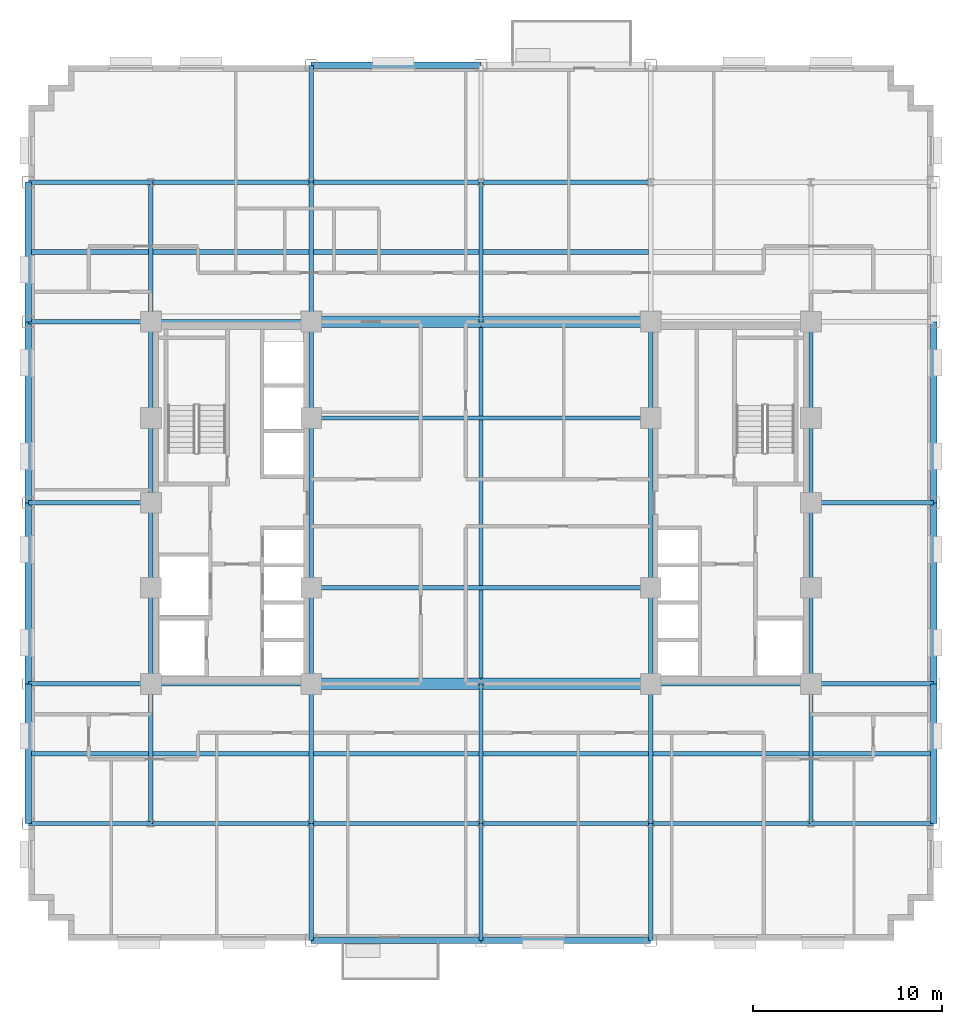
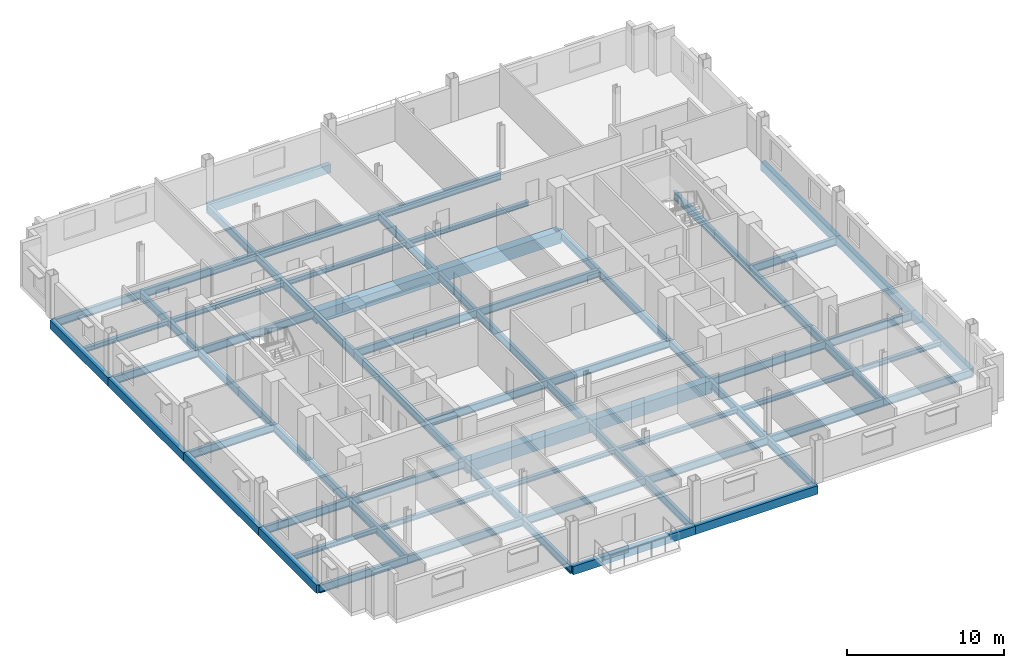
# One storey, part 4 of 14: 71 beams.
"""IFC4 building model written with IfcOpenShell, lengths in metres."""

from ifc_helpers import new_model, si_unit, direction, frame, origin, origin_2d, place, context, subcontext, project, spatial, rectangle, i_section, extrude, material, material_profile, profile_set, type_object, element, save


model = new_model("IFC4")

# Units and contexts
model_context = context("Model", 3, precision=1e-05, world=origin(), true_north=direction((0.0, 1.0)))
body_context = subcontext(model_context, "Body", "Model", "MODEL_VIEW")
ifc_project = project(units=[si_unit("LENGTHUNIT", "METRE"), si_unit("AREAUNIT", "SQUARE_METRE"), si_unit("VOLUMEUNIT", "CUBIC_METRE"), si_unit("PLANEANGLEUNIT", "RADIAN"), si_unit("MASSUNIT", "GRAM", prefix="KILO")], contexts=[model_context])

# Site, building, storey
site_placement = place(None, origin())
site = spatial("IfcSite", under=ifc_project, at=site_placement, CompositionType="ELEMENT")
building_placement = place(site_placement, origin())
building = spatial("IfcBuilding", under=site, at=building_placement, Name="Nuvemarco Arch Tower", CompositionType="ELEMENT")
storey_placement = place(building_placement, frame((0.0, 0.0, 105.60009765625)))
storey = spatial("IfcBuildingStorey", under=building, at=storey_placement, Name="L27", CompositionType="ELEMENT", Elevation=105.60009765625)

# Beams
ifc_material_1 = material(Name="Concrete C60/75", Category="concrete")
ifc_material_profile_1 = material_profile(ifc_material_1, rectangle(XDim=0.60009765625, YDim=0.949951171875, at=origin_2d()), Name="RC-BM-600x950")
ifc_profile_set_1 = profile_set([ifc_material_profile_1], Name="Concrete C60/75")
beam_type_1 = type_object("IfcBeamType", Name="BM-COUP-RC", PredefinedType="LINTEL", material=ifc_profile_set_1)
for number, where, z_axis, x_axis, name in (
    (1, (-9.0, -9.60009765625, -0.755126953125), (1.0, 0.0, 0.0), (0.0, 1.0, 0.0), "L27 structural beam BGEW_L27_0_-9.6_-9.0"),
    (2, (0.0, -9.60009765625, -0.755126953125), (1.0, 0.0, 0.0), (0.0, 1.0, 0.0), "L27 structural beam BGEW_L27_0_-9.6_+0.0"),
    (3, (-9.0, 9.60009765625, -0.755126953125), (1.0, 0.0, 0.0), (0.0, 1.0, 0.0), "L27 structural beam BGEW_L27_0_+9.6_-9.0"),
    (4, (0.0, 9.60009765625, -0.755126953125), (1.0, 0.0, 0.0), (0.0, 1.0, 0.0), "L27 structural beam BGEW_L27_0_+9.6_+0.0"),
):
    element("IfcBeam", number, at=place(storey_placement, frame(where, z_axis=z_axis, x_axis=x_axis)), inside=storey, type_object=beam_type_1, Name=name, PredefinedType="LINTEL", context=body_context, shape_type="SweptSolid", body=[
        extrude(rectangle(XDim=0.60009765625, YDim=0.949951171875, at=origin_2d()), origin(), (0.0, 0.0, 1.0), 9.0),
    ])
ifc_material_2 = material(Name="Steel S355", Category="steel")
ifc_material_profile_2 = material_profile(ifc_material_2, i_section(OverallWidth=0.22998046875, OverallDepth=0.616943359375, WebThickness=0.01318359375, FlangeThickness=0.022216796875, FilletRadius=0.01611328125, at=origin_2d()), Name="W610x140")
ifc_profile_set_2 = profile_set([ifc_material_profile_2], Name="Steel S355")
beam_type_2 = type_object("IfcBeamType", Name="BM-GIRD-610", PredefinedType="BEAM", material=ifc_profile_set_2)
beam_1_placement = place(storey_placement, frame((-17.5, -17.0, -0.588623046875), z_axis=(0.0, 1.0, 0.0), x_axis=(-1.0, 0.0, 0.0)))
element("IfcBeam", 5, at=beam_1_placement, inside=storey, type_object=beam_type_2, Name="L27 structural beam BGNS_L27_0_-17.5_-17.0", PredefinedType="BEAM", context=body_context, shape_type="SweptSolid", body=[
    extrude(i_section(OverallWidth=0.22998046875, OverallDepth=0.616943359375, WebThickness=0.01318359375, FlangeThickness=0.022216796875, FilletRadius=0.01611328125, at=origin_2d()), origin(), (0.0, 0.0, 1.0), 7.39990234375),
])
beam_2_placement = place(storey_placement, frame((-17.5, -9.60009765625, -0.588623046875), z_axis=(0.0, 1.0, 0.0), x_axis=(-1.0, 0.0, 0.0)))
element("IfcBeam", 6, at=beam_2_placement, inside=storey, type_object=beam_type_2, Name="L27 structural beam BGNS_L27_0_-17.5_-9.6", PredefinedType="BEAM", context=body_context, shape_type="SweptSolid", body=[
    extrude(i_section(OverallWidth=0.22998046875, OverallDepth=0.616943359375, WebThickness=0.01318359375, FlangeThickness=0.022216796875, FilletRadius=0.01611328125, at=origin_2d()), origin(), (0.0, 0.0, 1.0), 5.10009765625),
])
for number, where, z_axis, x_axis, name in (
    (7, (-17.5, -4.5, -0.588623046875), (0.0, 1.0, 0.0), (-1.0, 0.0, 0.0), "L27 structural beam BGNS_L27_0_-17.5_-4.5"),
    (8, (-17.5, 0.0, -0.588623046875), (0.0, 1.0, 0.0), (-1.0, 0.0, 0.0), "L27 structural beam BGNS_L27_0_-17.5_+0.0"),
):
    element("IfcBeam", number, at=place(storey_placement, frame(where, z_axis=z_axis, x_axis=x_axis)), inside=storey, type_object=beam_type_2, Name=name, PredefinedType="BEAM", context=body_context, shape_type="SweptSolid", body=[
        extrude(i_section(OverallWidth=0.22998046875, OverallDepth=0.616943359375, WebThickness=0.01318359375, FlangeThickness=0.022216796875, FilletRadius=0.01611328125, at=origin_2d()), origin(), (0.0, 0.0, 1.0), 4.5),
    ])
beam_3_placement = place(storey_placement, frame((-17.5, 4.5, -0.588623046875), z_axis=(0.0, 1.0, 0.0), x_axis=(-1.0, 0.0, 0.0)))
element("IfcBeam", 9, at=beam_3_placement, inside=storey, type_object=beam_type_2, Name="L27 structural beam BGNS_L27_0_-17.5_+4.5", PredefinedType="BEAM", context=body_context, shape_type="SweptSolid", body=[
    extrude(i_section(OverallWidth=0.22998046875, OverallDepth=0.616943359375, WebThickness=0.01318359375, FlangeThickness=0.022216796875, FilletRadius=0.01611328125, at=origin_2d()), origin(), (0.0, 0.0, 1.0), 5.10009765625),
])
beam_4_placement = place(storey_placement, frame((-17.5, 9.60009765625, -0.588623046875), z_axis=(0.0, 1.0, 0.0), x_axis=(-1.0, 0.0, 0.0)))
element("IfcBeam", 10, at=beam_4_placement, inside=storey, type_object=beam_type_2, Name="L27 structural beam BGNS_L27_0_-17.5_+9.6", PredefinedType="BEAM", context=body_context, shape_type="SweptSolid", body=[
    extrude(i_section(OverallWidth=0.22998046875, OverallDepth=0.616943359375, WebThickness=0.01318359375, FlangeThickness=0.022216796875, FilletRadius=0.01611328125, at=origin_2d()), origin(), (0.0, 0.0, 1.0), 7.39990234375),
])
beam_5_placement = place(storey_placement, frame((-9.0, -23.199951171875, -0.588623046875), z_axis=(0.0, 1.0, 0.0), x_axis=(-1.0, 0.0, 0.0)))
element("IfcBeam", 11, at=beam_5_placement, inside=storey, type_object=beam_type_2, Name="L27 structural beam BGNS_L27_0_-9.0_-23.2", PredefinedType="BEAM", context=body_context, shape_type="SweptSolid", body=[
    extrude(i_section(OverallWidth=0.22998046875, OverallDepth=0.616943359375, WebThickness=0.01318359375, FlangeThickness=0.022216796875, FilletRadius=0.01611328125, at=origin_2d()), origin(), (0.0, 0.0, 1.0), 6.199951171875),
])
beam_6_placement = place(storey_placement, frame((-9.0, -17.0, -0.588623046875), z_axis=(0.0, 1.0, 0.0), x_axis=(-1.0, 0.0, 0.0)))
element("IfcBeam", 12, at=beam_6_placement, inside=storey, type_object=beam_type_2, Name="L27 structural beam BGNS_L27_0_-9.0_-17.0", PredefinedType="BEAM", context=body_context, shape_type="SweptSolid", body=[
    extrude(i_section(OverallWidth=0.22998046875, OverallDepth=0.616943359375, WebThickness=0.01318359375, FlangeThickness=0.022216796875, FilletRadius=0.01611328125, at=origin_2d()), origin(), (0.0, 0.0, 1.0), 7.39990234375),
])
beam_7_placement = place(storey_placement, frame((-9.0, -9.60009765625, -0.588623046875), z_axis=(0.0, 1.0, 0.0), x_axis=(-1.0, 0.0, 0.0)))
element("IfcBeam", 13, at=beam_7_placement, inside=storey, type_object=beam_type_2, Name="L27 structural beam BGNS_L27_0_-9.0_-9.6", PredefinedType="BEAM", context=body_context, shape_type="SweptSolid", body=[
    extrude(i_section(OverallWidth=0.22998046875, OverallDepth=0.616943359375, WebThickness=0.01318359375, FlangeThickness=0.022216796875, FilletRadius=0.01611328125, at=origin_2d()), origin(), (0.0, 0.0, 1.0), 5.10009765625),
])
beam_8_placement = place(storey_placement, frame((-9.0, -4.5, -0.588623046875), z_axis=(0.0, 1.0, 0.0), x_axis=(-1.0, 0.0, 0.0)))
element("IfcBeam", 14, at=beam_8_placement, inside=storey, type_object=beam_type_2, Name="L27 structural beam BGNS_L27_0_-9.0_-4.5", PredefinedType="BEAM", context=body_context, shape_type="SweptSolid", body=[
    extrude(i_section(OverallWidth=0.22998046875, OverallDepth=0.616943359375, WebThickness=0.01318359375, FlangeThickness=0.022216796875, FilletRadius=0.01611328125, at=origin_2d()), origin(), (0.0, 0.0, 1.0), 9.0),
])
beam_9_placement = place(storey_placement, frame((-9.0, 4.5, -0.588623046875), z_axis=(0.0, 1.0, 0.0), x_axis=(-1.0, 0.0, 0.0)))
element("IfcBeam", 15, at=beam_9_placement, inside=storey, type_object=beam_type_2, Name="L27 structural beam BGNS_L27_0_-9.0_+4.5", PredefinedType="BEAM", context=body_context, shape_type="SweptSolid", body=[
    extrude(i_section(OverallWidth=0.22998046875, OverallDepth=0.616943359375, WebThickness=0.01318359375, FlangeThickness=0.022216796875, FilletRadius=0.01611328125, at=origin_2d()), origin(), (0.0, 0.0, 1.0), 5.10009765625),
])
beam_10_placement = place(storey_placement, frame((-9.0, 9.60009765625, -0.588623046875), z_axis=(0.0, 1.0, 0.0), x_axis=(-1.0, 0.0, 0.0)))
element("IfcBeam", 16, at=beam_10_placement, inside=storey, type_object=beam_type_2, Name="L27 structural beam BGNS_L27_0_-9.0_+9.6", PredefinedType="BEAM", context=body_context, shape_type="SweptSolid", body=[
    extrude(i_section(OverallWidth=0.22998046875, OverallDepth=0.616943359375, WebThickness=0.01318359375, FlangeThickness=0.022216796875, FilletRadius=0.01611328125, at=origin_2d()), origin(), (0.0, 0.0, 1.0), 7.39990234375),
])
for number, where, z_axis, x_axis, name in (
    (17, (-9.0, 17.0, -0.588623046875), (0.0, 1.0, 0.0), (-1.0, 0.0, 0.0), "L27 structural beam BGNS_L27_0_-9.0_+17.0"),
    (18, (0.0, -23.199951171875, -0.588623046875), (0.0, 1.0, 0.0), (-1.0, 0.0, 0.0), "L27 structural beam BGNS_L27_0_+0.0_-23.2"),
):
    element("IfcBeam", number, at=place(storey_placement, frame(where, z_axis=z_axis, x_axis=x_axis)), inside=storey, type_object=beam_type_2, Name=name, PredefinedType="BEAM", context=body_context, shape_type="SweptSolid", body=[
        extrude(i_section(OverallWidth=0.22998046875, OverallDepth=0.616943359375, WebThickness=0.01318359375, FlangeThickness=0.022216796875, FilletRadius=0.01611328125, at=origin_2d()), origin(), (0.0, 0.0, 1.0), 6.199951171875),
    ])
beam_11_placement = place(storey_placement, frame((0.0, -17.0, -0.588623046875), z_axis=(0.0, 1.0, 0.0), x_axis=(-1.0, 0.0, 0.0)))
element("IfcBeam", 19, at=beam_11_placement, inside=storey, type_object=beam_type_2, Name="L27 structural beam BGNS_L27_0_+0.0_-17.0", PredefinedType="BEAM", context=body_context, shape_type="SweptSolid", body=[
    extrude(i_section(OverallWidth=0.22998046875, OverallDepth=0.616943359375, WebThickness=0.01318359375, FlangeThickness=0.022216796875, FilletRadius=0.01611328125, at=origin_2d()), origin(), (0.0, 0.0, 1.0), 7.39990234375),
])
beam_12_placement = place(storey_placement, frame((0.0, -9.60009765625, -0.588623046875), z_axis=(0.0, 1.0, 0.0), x_axis=(-1.0, 0.0, 0.0)))
element("IfcBeam", 20, at=beam_12_placement, inside=storey, type_object=beam_type_2, Name="L27 structural beam BGNS_L27_0_+0.0_-9.6", PredefinedType="BEAM", context=body_context, shape_type="SweptSolid", body=[
    extrude(i_section(OverallWidth=0.22998046875, OverallDepth=0.616943359375, WebThickness=0.01318359375, FlangeThickness=0.022216796875, FilletRadius=0.01611328125, at=origin_2d()), origin(), (0.0, 0.0, 1.0), 19.2001953125),
])
beam_13_placement = place(storey_placement, frame((0.0, 9.60009765625, -0.588623046875), z_axis=(0.0, 1.0, 0.0), x_axis=(-1.0, 0.0, 0.0)))
element("IfcBeam", 21, at=beam_13_placement, inside=storey, type_object=beam_type_2, Name="L27 structural beam BGNS_L27_0_+0.0_+9.6", PredefinedType="BEAM", context=body_context, shape_type="SweptSolid", body=[
    extrude(i_section(OverallWidth=0.22998046875, OverallDepth=0.616943359375, WebThickness=0.01318359375, FlangeThickness=0.022216796875, FilletRadius=0.01611328125, at=origin_2d()), origin(), (0.0, 0.0, 1.0), 7.39990234375),
])
beam_14_placement = place(storey_placement, frame((9.0, -23.199951171875, -0.588623046875), z_axis=(0.0, 1.0, 0.0), x_axis=(-1.0, 0.0, 0.0)))
element("IfcBeam", 22, at=beam_14_placement, inside=storey, type_object=beam_type_2, Name="L27 structural beam BGNS_L27_0_+9.0_-23.2", PredefinedType="BEAM", context=body_context, shape_type="SweptSolid", body=[
    extrude(i_section(OverallWidth=0.22998046875, OverallDepth=0.616943359375, WebThickness=0.01318359375, FlangeThickness=0.022216796875, FilletRadius=0.01611328125, at=origin_2d()), origin(), (0.0, 0.0, 1.0), 6.199951171875),
])
beam_15_placement = place(storey_placement, frame((9.0, -17.0, -0.588623046875), z_axis=(0.0, 1.0, 0.0), x_axis=(-1.0, 0.0, 0.0)))
element("IfcBeam", 23, at=beam_15_placement, inside=storey, type_object=beam_type_2, Name="L27 structural beam BGNS_L27_0_+9.0_-17.0", PredefinedType="BEAM", context=body_context, shape_type="SweptSolid", body=[
    extrude(i_section(OverallWidth=0.22998046875, OverallDepth=0.616943359375, WebThickness=0.01318359375, FlangeThickness=0.022216796875, FilletRadius=0.01611328125, at=origin_2d()), origin(), (0.0, 0.0, 1.0), 7.39990234375),
])
beam_16_placement = place(storey_placement, frame((9.0, -9.60009765625, -0.588623046875), z_axis=(0.0, 1.0, 0.0), x_axis=(-1.0, 0.0, 0.0)))
element("IfcBeam", 24, at=beam_16_placement, inside=storey, type_object=beam_type_2, Name="L27 structural beam BGNS_L27_0_+9.0_-9.6", PredefinedType="BEAM", context=body_context, shape_type="SweptSolid", body=[
    extrude(i_section(OverallWidth=0.22998046875, OverallDepth=0.616943359375, WebThickness=0.01318359375, FlangeThickness=0.022216796875, FilletRadius=0.01611328125, at=origin_2d()), origin(), (0.0, 0.0, 1.0), 5.10009765625),
])
beam_17_placement = place(storey_placement, frame((9.0, -4.5, -0.588623046875), z_axis=(0.0, 1.0, 0.0), x_axis=(-1.0, 0.0, 0.0)))
element("IfcBeam", 25, at=beam_17_placement, inside=storey, type_object=beam_type_2, Name="L27 structural beam BGNS_L27_0_+9.0_-4.5", PredefinedType="BEAM", context=body_context, shape_type="SweptSolid", body=[
    extrude(i_section(OverallWidth=0.22998046875, OverallDepth=0.616943359375, WebThickness=0.01318359375, FlangeThickness=0.022216796875, FilletRadius=0.01611328125, at=origin_2d()), origin(), (0.0, 0.0, 1.0), 9.0),
])
beam_18_placement = place(storey_placement, frame((9.0, 4.5, -0.588623046875), z_axis=(0.0, 1.0, 0.0), x_axis=(-1.0, 0.0, 0.0)))
element("IfcBeam", 26, at=beam_18_placement, inside=storey, type_object=beam_type_2, Name="L27 structural beam BGNS_L27_0_+9.0_+4.5", PredefinedType="BEAM", context=body_context, shape_type="SweptSolid", body=[
    extrude(i_section(OverallWidth=0.22998046875, OverallDepth=0.616943359375, WebThickness=0.01318359375, FlangeThickness=0.022216796875, FilletRadius=0.01611328125, at=origin_2d()), origin(), (0.0, 0.0, 1.0), 5.10009765625),
])
beam_19_placement = place(storey_placement, frame((17.5, -17.0, -0.588623046875), z_axis=(0.0, 1.0, 0.0), x_axis=(-1.0, 0.0, 0.0)))
element("IfcBeam", 27, at=beam_19_placement, inside=storey, type_object=beam_type_2, Name="L27 structural beam BGNS_L27_0_+17.5_-17.0", PredefinedType="BEAM", context=body_context, shape_type="SweptSolid", body=[
    extrude(i_section(OverallWidth=0.22998046875, OverallDepth=0.616943359375, WebThickness=0.01318359375, FlangeThickness=0.022216796875, FilletRadius=0.01611328125, at=origin_2d()), origin(), (0.0, 0.0, 1.0), 7.39990234375),
])
beam_20_placement = place(storey_placement, frame((17.5, -9.60009765625, -0.588623046875), z_axis=(0.0, 1.0, 0.0), x_axis=(-1.0, 0.0, 0.0)))
element("IfcBeam", 28, at=beam_20_placement, inside=storey, type_object=beam_type_2, Name="L27 structural beam BGNS_L27_0_+17.5_-9.6", PredefinedType="BEAM", context=body_context, shape_type="SweptSolid", body=[
    extrude(i_section(OverallWidth=0.22998046875, OverallDepth=0.616943359375, WebThickness=0.01318359375, FlangeThickness=0.022216796875, FilletRadius=0.01611328125, at=origin_2d()), origin(), (0.0, 0.0, 1.0), 5.10009765625),
])
for number, where, z_axis, x_axis, name in (
    (29, (17.5, -4.5, -0.588623046875), (0.0, 1.0, 0.0), (-1.0, 0.0, 0.0), "L27 structural beam BGNS_L27_0_+17.5_-4.5"),
    (30, (17.5, 0.0, -0.588623046875), (0.0, 1.0, 0.0), (-1.0, 0.0, 0.0), "L27 structural beam BGNS_L27_0_+17.5_+0.0"),
):
    element("IfcBeam", number, at=place(storey_placement, frame(where, z_axis=z_axis, x_axis=x_axis)), inside=storey, type_object=beam_type_2, Name=name, PredefinedType="BEAM", context=body_context, shape_type="SweptSolid", body=[
        extrude(i_section(OverallWidth=0.22998046875, OverallDepth=0.616943359375, WebThickness=0.01318359375, FlangeThickness=0.022216796875, FilletRadius=0.01611328125, at=origin_2d()), origin(), (0.0, 0.0, 1.0), 4.5),
    ])
beam_21_placement = place(storey_placement, frame((17.5, 4.5, -0.588623046875), z_axis=(0.0, 1.0, 0.0), x_axis=(-1.0, 0.0, 0.0)))
element("IfcBeam", 31, at=beam_21_placement, inside=storey, type_object=beam_type_2, Name="L27 structural beam BGNS_L27_0_+17.5_+4.5", PredefinedType="BEAM", context=body_context, shape_type="SweptSolid", body=[
    extrude(i_section(OverallWidth=0.22998046875, OverallDepth=0.616943359375, WebThickness=0.01318359375, FlangeThickness=0.022216796875, FilletRadius=0.01611328125, at=origin_2d()), origin(), (0.0, 0.0, 1.0), 5.10009765625),
])
beam_22_placement = place(storey_placement, frame((-24.0, -17.0, -0.588623046875), z_axis=(1.0, 0.0, 0.0), x_axis=(0.0, 1.0, 0.0)))
element("IfcBeam", 32, at=beam_22_placement, inside=storey, type_object=beam_type_2, Name="L27 structural beam BGEW_L27_0_-17.0_-24.0", PredefinedType="BEAM", context=body_context, shape_type="SweptSolid", body=[
    extrude(i_section(OverallWidth=0.22998046875, OverallDepth=0.616943359375, WebThickness=0.01318359375, FlangeThickness=0.022216796875, FilletRadius=0.01611328125, at=origin_2d()), origin(), (0.0, 0.0, 1.0), 6.5),
])
beam_23_placement = place(storey_placement, frame((-17.5, -17.0, -0.588623046875), z_axis=(1.0, 0.0, 0.0), x_axis=(0.0, 1.0, 0.0)))
element("IfcBeam", 33, at=beam_23_placement, inside=storey, type_object=beam_type_2, Name="L27 structural beam BGEW_L27_0_-17.0_-17.5", PredefinedType="BEAM", context=body_context, shape_type="SweptSolid", body=[
    extrude(i_section(OverallWidth=0.22998046875, OverallDepth=0.616943359375, WebThickness=0.01318359375, FlangeThickness=0.022216796875, FilletRadius=0.01611328125, at=origin_2d()), origin(), (0.0, 0.0, 1.0), 8.5),
])
for number, where, z_axis, x_axis, name in (
    (34, (-9.0, -17.0, -0.588623046875), (1.0, 0.0, 0.0), (0.0, 1.0, 0.0), "L27 structural beam BGEW_L27_0_-17.0_-9.0"),
    (35, (0.0, -17.0, -0.588623046875), (1.0, 0.0, 0.0), (0.0, 1.0, 0.0), "L27 structural beam BGEW_L27_0_-17.0_+0.0"),
):
    element("IfcBeam", number, at=place(storey_placement, frame(where, z_axis=z_axis, x_axis=x_axis)), inside=storey, type_object=beam_type_2, Name=name, PredefinedType="BEAM", context=body_context, shape_type="SweptSolid", body=[
        extrude(i_section(OverallWidth=0.22998046875, OverallDepth=0.616943359375, WebThickness=0.01318359375, FlangeThickness=0.022216796875, FilletRadius=0.01611328125, at=origin_2d()), origin(), (0.0, 0.0, 1.0), 9.0),
    ])
beam_24_placement = place(storey_placement, frame((9.0, -17.0, -0.588623046875), z_axis=(1.0, 0.0, 0.0), x_axis=(0.0, 1.0, 0.0)))
element("IfcBeam", 36, at=beam_24_placement, inside=storey, type_object=beam_type_2, Name="L27 structural beam BGEW_L27_0_-17.0_+9.0", PredefinedType="BEAM", context=body_context, shape_type="SweptSolid", body=[
    extrude(i_section(OverallWidth=0.22998046875, OverallDepth=0.616943359375, WebThickness=0.01318359375, FlangeThickness=0.022216796875, FilletRadius=0.01611328125, at=origin_2d()), origin(), (0.0, 0.0, 1.0), 8.5),
])
for number, where, z_axis, x_axis, name in (
    (37, (17.5, -17.0, -0.588623046875), (1.0, 0.0, 0.0), (0.0, 1.0, 0.0), "L27 structural beam BGEW_L27_0_-17.0_+17.5"),
    (38, (-24.0, -9.60009765625, -0.588623046875), (1.0, 0.0, 0.0), (0.0, 1.0, 0.0), "L27 structural beam BGEW_L27_0_-9.6_-24.0"),
):
    element("IfcBeam", number, at=place(storey_placement, frame(where, z_axis=z_axis, x_axis=x_axis)), inside=storey, type_object=beam_type_2, Name=name, PredefinedType="BEAM", context=body_context, shape_type="SweptSolid", body=[
        extrude(i_section(OverallWidth=0.22998046875, OverallDepth=0.616943359375, WebThickness=0.01318359375, FlangeThickness=0.022216796875, FilletRadius=0.01611328125, at=origin_2d()), origin(), (0.0, 0.0, 1.0), 6.5),
    ])
for number, where, z_axis, x_axis, name in (
    (39, (-17.5, -9.60009765625, -0.588623046875), (1.0, 0.0, 0.0), (0.0, 1.0, 0.0), "L27 structural beam BGEW_L27_0_-9.6_-17.5"),
    (40, (9.0, -9.60009765625, -0.588623046875), (1.0, 0.0, 0.0), (0.0, 1.0, 0.0), "L27 structural beam BGEW_L27_0_-9.6_+9.0"),
):
    element("IfcBeam", number, at=place(storey_placement, frame(where, z_axis=z_axis, x_axis=x_axis)), inside=storey, type_object=beam_type_2, Name=name, PredefinedType="BEAM", context=body_context, shape_type="SweptSolid", body=[
        extrude(i_section(OverallWidth=0.22998046875, OverallDepth=0.616943359375, WebThickness=0.01318359375, FlangeThickness=0.022216796875, FilletRadius=0.01611328125, at=origin_2d()), origin(), (0.0, 0.0, 1.0), 8.5),
    ])
beam_25_placement = place(storey_placement, frame((17.5, -9.60009765625, -0.588623046875), z_axis=(1.0, 0.0, 0.0), x_axis=(0.0, 1.0, 0.0)))
element("IfcBeam", 41, at=beam_25_placement, inside=storey, type_object=beam_type_2, Name="L27 structural beam BGEW_L27_0_-9.6_+17.5", PredefinedType="BEAM", context=body_context, shape_type="SweptSolid", body=[
    extrude(i_section(OverallWidth=0.22998046875, OverallDepth=0.616943359375, WebThickness=0.01318359375, FlangeThickness=0.022216796875, FilletRadius=0.01611328125, at=origin_2d()), origin(), (0.0, 0.0, 1.0), 6.5),
])
beam_26_placement = place(storey_placement, frame((-9.0, -4.5, -0.588623046875), z_axis=(1.0, 0.0, 0.0), x_axis=(0.0, 1.0, 0.0)))
element("IfcBeam", 42, at=beam_26_placement, inside=storey, type_object=beam_type_2, Name="L27 structural beam BGEW_L27_0_-4.5_-9.0", PredefinedType="BEAM", context=body_context, shape_type="SweptSolid", body=[
    extrude(i_section(OverallWidth=0.22998046875, OverallDepth=0.616943359375, WebThickness=0.01318359375, FlangeThickness=0.022216796875, FilletRadius=0.01611328125, at=origin_2d()), origin(), (0.0, 0.0, 1.0), 18.0),
])
for number, where, z_axis, x_axis, name in (
    (43, (-24.0, 0.0, -0.588623046875), (1.0, 0.0, 0.0), (0.0, 1.0, 0.0), "L27 structural beam BGEW_L27_0_+0.0_-24.0"),
    (44, (17.5, 0.0, -0.588623046875), (1.0, 0.0, 0.0), (0.0, 1.0, 0.0), "L27 structural beam BGEW_L27_0_+0.0_+17.5"),
):
    element("IfcBeam", number, at=place(storey_placement, frame(where, z_axis=z_axis, x_axis=x_axis)), inside=storey, type_object=beam_type_2, Name=name, PredefinedType="BEAM", context=body_context, shape_type="SweptSolid", body=[
        extrude(i_section(OverallWidth=0.22998046875, OverallDepth=0.616943359375, WebThickness=0.01318359375, FlangeThickness=0.022216796875, FilletRadius=0.01611328125, at=origin_2d()), origin(), (0.0, 0.0, 1.0), 6.5),
    ])
beam_27_placement = place(storey_placement, frame((-9.0, 4.5, -0.588623046875), z_axis=(1.0, 0.0, 0.0), x_axis=(0.0, 1.0, 0.0)))
element("IfcBeam", 45, at=beam_27_placement, inside=storey, type_object=beam_type_2, Name="L27 structural beam BGEW_L27_0_+4.5_-9.0", PredefinedType="BEAM", context=body_context, shape_type="SweptSolid", body=[
    extrude(i_section(OverallWidth=0.22998046875, OverallDepth=0.616943359375, WebThickness=0.01318359375, FlangeThickness=0.022216796875, FilletRadius=0.01611328125, at=origin_2d()), origin(), (0.0, 0.0, 1.0), 18.0),
])
beam_28_placement = place(storey_placement, frame((-24.0, 9.60009765625, -0.588623046875), z_axis=(1.0, 0.0, 0.0), x_axis=(0.0, 1.0, 0.0)))
element("IfcBeam", 46, at=beam_28_placement, inside=storey, type_object=beam_type_2, Name="L27 structural beam BGEW_L27_0_+9.6_-24.0", PredefinedType="BEAM", context=body_context, shape_type="SweptSolid", body=[
    extrude(i_section(OverallWidth=0.22998046875, OverallDepth=0.616943359375, WebThickness=0.01318359375, FlangeThickness=0.022216796875, FilletRadius=0.01611328125, at=origin_2d()), origin(), (0.0, 0.0, 1.0), 6.5),
])
beam_29_placement = place(storey_placement, frame((-17.5, 9.60009765625, -0.588623046875), z_axis=(1.0, 0.0, 0.0), x_axis=(0.0, 1.0, 0.0)))
element("IfcBeam", 47, at=beam_29_placement, inside=storey, type_object=beam_type_2, Name="L27 structural beam BGEW_L27_0_+9.6_-17.5", PredefinedType="BEAM", context=body_context, shape_type="SweptSolid", body=[
    extrude(i_section(OverallWidth=0.22998046875, OverallDepth=0.616943359375, WebThickness=0.01318359375, FlangeThickness=0.022216796875, FilletRadius=0.01611328125, at=origin_2d()), origin(), (0.0, 0.0, 1.0), 8.5),
])
beam_30_placement = place(storey_placement, frame((-24.0, 17.0, -0.588623046875), z_axis=(1.0, 0.0, 0.0), x_axis=(0.0, 1.0, 0.0)))
element("IfcBeam", 48, at=beam_30_placement, inside=storey, type_object=beam_type_2, Name="L27 structural beam BGEW_L27_0_+17.0_-24.0", PredefinedType="BEAM", context=body_context, shape_type="SweptSolid", body=[
    extrude(i_section(OverallWidth=0.22998046875, OverallDepth=0.616943359375, WebThickness=0.01318359375, FlangeThickness=0.022216796875, FilletRadius=0.01611328125, at=origin_2d()), origin(), (0.0, 0.0, 1.0), 6.5),
])
beam_31_placement = place(storey_placement, frame((-17.5, 17.0, -0.588623046875), z_axis=(1.0, 0.0, 0.0), x_axis=(0.0, 1.0, 0.0)))
element("IfcBeam", 49, at=beam_31_placement, inside=storey, type_object=beam_type_2, Name="L27 structural beam BGEW_L27_0_+17.0_-17.5", PredefinedType="BEAM", context=body_context, shape_type="SweptSolid", body=[
    extrude(i_section(OverallWidth=0.22998046875, OverallDepth=0.616943359375, WebThickness=0.01318359375, FlangeThickness=0.022216796875, FilletRadius=0.01611328125, at=origin_2d()), origin(), (0.0, 0.0, 1.0), 8.5),
])
for number, where, z_axis, x_axis, name in (
    (50, (-9.0, 17.0, -0.588623046875), (1.0, 0.0, 0.0), (0.0, 1.0, 0.0), "L27 structural beam BGEW_L27_0_+17.0_-9.0"),
    (51, (0.0, 17.0, -0.588623046875), (1.0, 0.0, 0.0), (0.0, 1.0, 0.0), "L27 structural beam BGEW_L27_0_+17.0_+0.0"),
):
    element("IfcBeam", number, at=place(storey_placement, frame(where, z_axis=z_axis, x_axis=x_axis)), inside=storey, type_object=beam_type_2, Name=name, PredefinedType="BEAM", context=body_context, shape_type="SweptSolid", body=[
        extrude(i_section(OverallWidth=0.22998046875, OverallDepth=0.616943359375, WebThickness=0.01318359375, FlangeThickness=0.022216796875, FilletRadius=0.01611328125, at=origin_2d()), origin(), (0.0, 0.0, 1.0), 9.0),
    ])
ifc_material_profile_3 = material_profile(ifc_material_2, i_section(OverallWidth=0.2548828125, OverallDepth=0.35693359375, WebThickness=0.010498046875, FlangeThickness=0.018310546875, FilletRadius=0.014892578125, at=origin_2d()), Name="W360x101")
ifc_profile_set_3 = profile_set([ifc_material_profile_3], Name="Steel S355")
beam_type_3 = type_object("IfcBeamType", Name="BM-JOIST-360H", PredefinedType="JOIST", material=ifc_profile_set_3)
beam_32_placement = place(storey_placement, frame((-23.824951171875, -13.300048828125, -0.45849609375), z_axis=(1.0, 0.0, 0.0), x_axis=(0.0, 1.0, 0.0)))
element("IfcBeam", 52, at=beam_32_placement, inside=storey, type_object=beam_type_3, Name="L27 structural beam BJ_L27_0_-13.3_-24.0", PredefinedType="JOIST", context=body_context, shape_type="SweptSolid", body=[
    extrude(i_section(OverallWidth=0.2548828125, OverallDepth=0.35693359375, WebThickness=0.010498046875, FlangeThickness=0.018310546875, FilletRadius=0.014892578125, at=origin_2d()), origin(), (0.0, 0.0, 1.0), 6.2099609375),
])
beam_33_placement = place(storey_placement, frame((-17.385009765625, -13.300048828125, -0.45849609375), z_axis=(1.0, 0.0, 0.0), x_axis=(0.0, 1.0, 0.0)))
element("IfcBeam", 53, at=beam_33_placement, inside=storey, type_object=beam_type_3, Name="L27 structural beam BJ_L27_0_-13.3_-17.5", PredefinedType="JOIST", context=body_context, shape_type="SweptSolid", body=[
    extrude(i_section(OverallWidth=0.2548828125, OverallDepth=0.35693359375, WebThickness=0.010498046875, FlangeThickness=0.018310546875, FilletRadius=0.014892578125, at=origin_2d()), origin(), (0.0, 0.0, 1.0), 8.27001953125),
])
for number, where, z_axis, x_axis, name in (
    (54, (-8.885009765625, -13.300048828125, -0.45849609375), (1.0, 0.0, 0.0), (0.0, 1.0, 0.0), "L27 structural beam BJ_L27_0_-13.3_-9.0"),
    (55, (0.114990234375, -13.300048828125, -0.45849609375), (1.0, 0.0, 0.0), (0.0, 1.0, 0.0), "L27 structural beam BJ_L27_0_-13.3_+0.0"),
):
    element("IfcBeam", number, at=place(storey_placement, frame(where, z_axis=z_axis, x_axis=x_axis)), inside=storey, type_object=beam_type_3, Name=name, PredefinedType="JOIST", context=body_context, shape_type="SweptSolid", body=[
        extrude(i_section(OverallWidth=0.2548828125, OverallDepth=0.35693359375, WebThickness=0.010498046875, FlangeThickness=0.018310546875, FilletRadius=0.014892578125, at=origin_2d()), origin(), (0.0, 0.0, 1.0), 8.77001953125),
    ])
beam_34_placement = place(storey_placement, frame((9.114990234375, -13.300048828125, -0.45849609375), z_axis=(1.0, 0.0, 0.0), x_axis=(0.0, 1.0, 0.0)))
element("IfcBeam", 56, at=beam_34_placement, inside=storey, type_object=beam_type_3, Name="L27 structural beam BJ_L27_0_-13.3_+9.0", PredefinedType="JOIST", context=body_context, shape_type="SweptSolid", body=[
    extrude(i_section(OverallWidth=0.2548828125, OverallDepth=0.35693359375, WebThickness=0.010498046875, FlangeThickness=0.018310546875, FilletRadius=0.014892578125, at=origin_2d()), origin(), (0.0, 0.0, 1.0), 8.27001953125),
])
for number, where, z_axis, x_axis, name in (
    (57, (17.614990234375, -13.300048828125, -0.45849609375), (1.0, 0.0, 0.0), (0.0, 1.0, 0.0), "L27 structural beam BJ_L27_0_-13.3_+17.5"),
    (58, (-23.824951171875, 13.300048828125, -0.45849609375), (1.0, 0.0, 0.0), (0.0, 1.0, 0.0), "L27 structural beam BJ_L27_0_+13.3_-24.0"),
):
    element("IfcBeam", number, at=place(storey_placement, frame(where, z_axis=z_axis, x_axis=x_axis)), inside=storey, type_object=beam_type_3, Name=name, PredefinedType="JOIST", context=body_context, shape_type="SweptSolid", body=[
        extrude(i_section(OverallWidth=0.2548828125, OverallDepth=0.35693359375, WebThickness=0.010498046875, FlangeThickness=0.018310546875, FilletRadius=0.014892578125, at=origin_2d()), origin(), (0.0, 0.0, 1.0), 6.2099609375),
    ])
beam_35_placement = place(storey_placement, frame((-17.385009765625, 13.300048828125, -0.45849609375), z_axis=(1.0, 0.0, 0.0), x_axis=(0.0, 1.0, 0.0)))
element("IfcBeam", 59, at=beam_35_placement, inside=storey, type_object=beam_type_3, Name="L27 structural beam BJ_L27_0_+13.3_-17.5", PredefinedType="JOIST", context=body_context, shape_type="SweptSolid", body=[
    extrude(i_section(OverallWidth=0.2548828125, OverallDepth=0.35693359375, WebThickness=0.010498046875, FlangeThickness=0.018310546875, FilletRadius=0.014892578125, at=origin_2d()), origin(), (0.0, 0.0, 1.0), 8.27001953125),
])
for number, where, z_axis, x_axis, name in (
    (60, (-8.885009765625, 13.300048828125, -0.45849609375), (1.0, 0.0, 0.0), (0.0, 1.0, 0.0), "L27 structural beam BJ_L27_0_+13.3_-9.0"),
    (61, (0.114990234375, 13.300048828125, -0.45849609375), (1.0, 0.0, 0.0), (0.0, 1.0, 0.0), "L27 structural beam BJ_L27_0_+13.3_+0.0"),
):
    element("IfcBeam", number, at=place(storey_placement, frame(where, z_axis=z_axis, x_axis=x_axis)), inside=storey, type_object=beam_type_3, Name=name, PredefinedType="JOIST", context=body_context, shape_type="SweptSolid", body=[
        extrude(i_section(OverallWidth=0.2548828125, OverallDepth=0.35693359375, WebThickness=0.010498046875, FlangeThickness=0.018310546875, FilletRadius=0.014892578125, at=origin_2d()), origin(), (0.0, 0.0, 1.0), 8.77001953125),
    ])
ifc_material_3 = material(Name="Precast concrete C45/55", Category="concrete")
ifc_material_profile_4 = material_profile(ifc_material_3, rectangle(XDim=0.35009765625, YDim=0.64990234375, at=origin_2d()), Name="PC-SP-350x650")
ifc_profile_set_4 = profile_set([ifc_material_profile_4], Name="Precast concrete C45/55")
beam_type_4 = type_object("IfcBeamType", Name="BM-SPAN-RC", PredefinedType="SPANDREL", material=ifc_profile_set_4)
beam_36_placement = place(storey_placement, frame((-24.0, -17.0, -0.60498046875), z_axis=(0.0, 1.0, 0.0), x_axis=(-1.0, 0.0, 0.0)))
element("IfcBeam", 62, at=beam_36_placement, inside=storey, type_object=beam_type_4, Name="L27 structural beam BGNS_L27_0_-24.0_-17.0", PredefinedType="SPANDREL", context=body_context, shape_type="SweptSolid", body=[
    extrude(rectangle(XDim=0.35009765625, YDim=0.64990234375, at=origin_2d()), origin(), (0.0, 0.0, 1.0), 7.39990234375),
])
for number, where, z_axis, x_axis, name in (
    (63, (-24.0, -9.60009765625, -0.60498046875), (0.0, 1.0, 0.0), (-1.0, 0.0, 0.0), "L27 structural beam BGNS_L27_0_-24.0_-9.6"),
    (64, (-24.0, 0.0, -0.60498046875), (0.0, 1.0, 0.0), (-1.0, 0.0, 0.0), "L27 structural beam BGNS_L27_0_-24.0_+0.0"),
):
    element("IfcBeam", number, at=place(storey_placement, frame(where, z_axis=z_axis, x_axis=x_axis)), inside=storey, type_object=beam_type_4, Name=name, PredefinedType="SPANDREL", context=body_context, shape_type="SweptSolid", body=[
        extrude(rectangle(XDim=0.35009765625, YDim=0.64990234375, at=origin_2d()), origin(), (0.0, 0.0, 1.0), 9.60009765625),
    ])
for number, where, z_axis, x_axis, name in (
    (65, (-24.0, 9.60009765625, -0.60498046875), (0.0, 1.0, 0.0), (-1.0, 0.0, 0.0), "L27 structural beam BGNS_L27_0_-24.0_+9.6"),
    (66, (24.0, -17.0, -0.60498046875), (0.0, 1.0, 0.0), (-1.0, 0.0, 0.0), "L27 structural beam BGNS_L27_0_+24.0_-17.0"),
):
    element("IfcBeam", number, at=place(storey_placement, frame(where, z_axis=z_axis, x_axis=x_axis)), inside=storey, type_object=beam_type_4, Name=name, PredefinedType="SPANDREL", context=body_context, shape_type="SweptSolid", body=[
        extrude(rectangle(XDim=0.35009765625, YDim=0.64990234375, at=origin_2d()), origin(), (0.0, 0.0, 1.0), 7.39990234375),
    ])
for number, where, z_axis, x_axis, name in (
    (67, (24.0, -9.60009765625, -0.60498046875), (0.0, 1.0, 0.0), (-1.0, 0.0, 0.0), "L27 structural beam BGNS_L27_0_+24.0_-9.6"),
    (68, (24.0, 0.0, -0.60498046875), (0.0, 1.0, 0.0), (-1.0, 0.0, 0.0), "L27 structural beam BGNS_L27_0_+24.0_+0.0"),
):
    element("IfcBeam", number, at=place(storey_placement, frame(where, z_axis=z_axis, x_axis=x_axis)), inside=storey, type_object=beam_type_4, Name=name, PredefinedType="SPANDREL", context=body_context, shape_type="SweptSolid", body=[
        extrude(rectangle(XDim=0.35009765625, YDim=0.64990234375, at=origin_2d()), origin(), (0.0, 0.0, 1.0), 9.60009765625),
    ])
for number, where, z_axis, x_axis, name in (
    (69, (-9.0, -23.199951171875, -0.60498046875), (1.0, 0.0, 0.0), (0.0, 1.0, 0.0), "L27 structural beam BGEW_L27_0_-23.2_-9.0"),
    (70, (0.0, -23.199951171875, -0.60498046875), (1.0, 0.0, 0.0), (0.0, 1.0, 0.0), "L27 structural beam BGEW_L27_0_-23.2_+0.0"),
    (71, (-9.0, 23.199951171875, -0.60498046875), (1.0, 0.0, 0.0), (0.0, 1.0, 0.0), "L27 structural beam BGEW_L27_0_+23.2_-9.0"),
):
    element("IfcBeam", number, at=place(storey_placement, frame(where, z_axis=z_axis, x_axis=x_axis)), inside=storey, type_object=beam_type_4, Name=name, PredefinedType="SPANDREL", context=body_context, shape_type="SweptSolid", body=[
        extrude(rectangle(XDim=0.35009765625, YDim=0.64990234375, at=origin_2d()), origin(), (0.0, 0.0, 1.0), 9.0),
    ])

save(model, "model.ifc")
